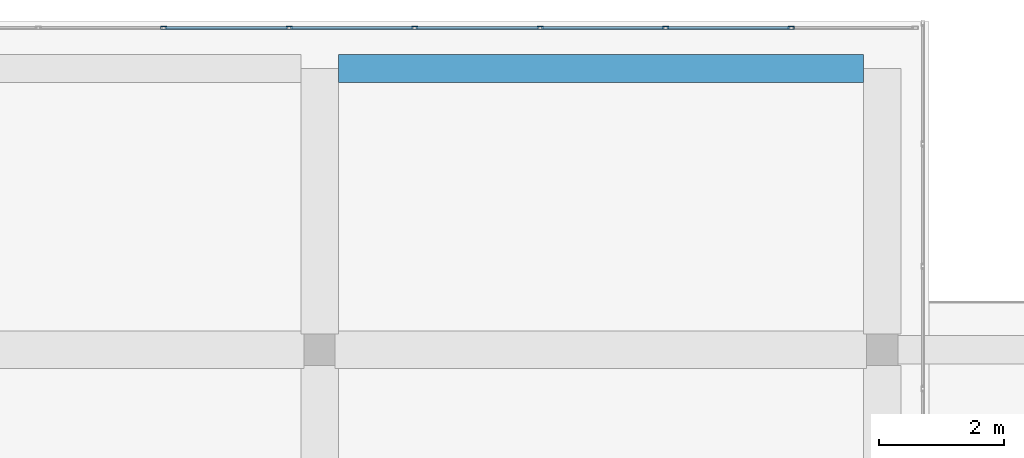
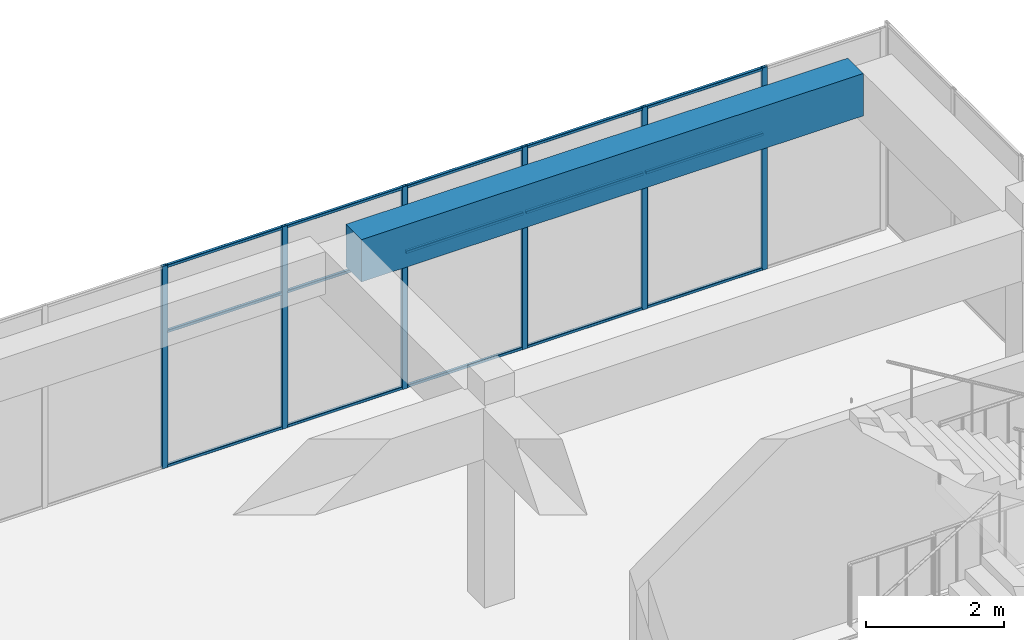
# One storey, part 28 of 36: 21 members, 1 beam, 1 element without a shape of its own.
"""IFC4 building model written with IfcOpenShell, lengths in metres."""

from ifc_helpers import new_model, si_unit, direction, frame, origin, origin_2d, place, context, subcontext, project, spatial, rectangle, hollow_rectangle, extrude, material, layer, layer_set, material_profile, profile_set, type_object, element, aggregate, save


model = new_model("IFC4")

# Units and contexts
model_context = context("Model", 3, precision=1e-05, world=origin(), true_north=direction((0.0, 1.0)))
body_context = subcontext(model_context, "Body", "Model", "MODEL_VIEW")
ifc_project = project(units=[si_unit("LENGTHUNIT", "METRE"), si_unit("AREAUNIT", "SQUARE_METRE"), si_unit("VOLUMEUNIT", "CUBIC_METRE"), si_unit("PLANEANGLEUNIT", "RADIAN"), si_unit("MASSUNIT", "GRAM", prefix="KILO")], contexts=[model_context])

# Site, building, storey
site_placement = place(None, origin())
site = spatial("IfcSite", under=ifc_project, at=site_placement, CompositionType="ELEMENT")
building_placement = place(site_placement, origin())
building = spatial("IfcBuilding", under=site, at=building_placement, Name="Tuart Plaza Theatre", CompositionType="ELEMENT")
storey_placement = place(building_placement, frame((0.0, 0.0, 61.5)))
storey = spatial("IfcBuildingStorey", under=building, at=storey_placement, Name="L15", CompositionType="ELEMENT", Elevation=61.5)

# Beam
ifc_material_1 = material(Name="Concrete N40 (40 MPa)", Category="concrete")
ifc_material_profile_1 = material_profile(ifc_material_1, rectangle(XDim=0.449951171875, YDim=0.75, at=origin_2d()), Name="BEAM 450x750 Concrete N40 (40 MPa)")
ifc_profile_set_1 = profile_set([ifc_material_profile_1], Name="Concrete N40 (40 MPa)")
beam_type = type_object("IfcBeamType", Name="BEAM 450x750 Concrete N40 (40 MPa)", PredefinedType="BEAM", material=ifc_profile_set_1)
beam_placement = place(storey_placement, frame((132.300048828125, 96.5, 3.205078125), z_axis=(1.0, 0.0, 0.0), x_axis=(0.0, 1.0, 0.0)))
element("IfcBeam", 1, at=beam_placement, inside=storey, type_object=beam_type, Name="RB338", PredefinedType="BEAM", context=body_context, shape_type="SweptSolid", body=[
    extrude(rectangle(XDim=0.449951171875, YDim=0.75, at=origin_2d()), origin(), (0.0, 0.0, 1.0), 8.39990234375),
])

# Curtain wall, members
ifc_material_2 = material(Name="Aluminium and glass", Category="aluminium")
ifc_layer = layer(ifc_material_2, 0.10009765625)
ifc_layer_set = layer_set([ifc_layer], Name="CURTAIN WALL 2000 module")
curtain_wall_type = type_object("IfcCurtainWallType", Name="CURTAIN WALL 2000 module", PredefinedType="NOTDEFINED", material=ifc_layer_set)
curtain_wall_placement = place(storey_placement, origin())
curtain_wall = element("IfcCurtainWall", 2, at=curtain_wall_placement, inside=storey, type_object=curtain_wall_type, Name="CW117", PredefinedType="NOTDEFINED")
ifc_material_3 = material(Name="Aluminium 6063-T5", Category="aluminium")
ifc_material_profile_2 = material_profile(ifc_material_3, hollow_rectangle(XDim=0.050048828125, YDim=0.10009765625, WallThickness=0.00390625, InnerFilletRadius=0.00390625, OuterFilletRadius=0.008056640625, at=origin_2d()), Name="RHS 100x50x4")
ifc_profile_set_2 = profile_set([ifc_material_profile_2], Name="Aluminium 6063-T5")
member_type_1 = type_object("IfcMemberType", Name="MULLION RHS 100x50x4", PredefinedType="MULLION", material=ifc_profile_set_2)
member_1_placement = place(storey_placement, frame((139.54296875, 97.14990234375, 0.0), z_axis=(0.0, 0.0, 1.0), x_axis=(0.0, -1.0, 0.0)))
member_1 = element("IfcMember", 3, at=member_1_placement, type_object=member_type_1, Name="CW117 mullion 2", PredefinedType="MULLION", context=body_context, shape_type="SweptSolid", body=[
    extrude(hollow_rectangle(XDim=0.050048828125, YDim=0.10009765625, WallThickness=0.00390625, InnerFilletRadius=0.00390625, OuterFilletRadius=0.008056640625, at=origin_2d()), origin(), (0.0, 0.0, 1.0), 3.580078125),
])
member_2_placement = place(storey_placement, frame((137.53564453125, 97.14990234375, 0.0), z_axis=(0.0, 0.0, 1.0), x_axis=(0.0, -1.0, 0.0)))
member_2 = element("IfcMember", 4, at=member_2_placement, type_object=member_type_1, Name="CW117 mullion 3", PredefinedType="MULLION", context=body_context, shape_type="SweptSolid", body=[
    extrude(hollow_rectangle(XDim=0.050048828125, YDim=0.10009765625, WallThickness=0.00390625, InnerFilletRadius=0.00390625, OuterFilletRadius=0.008056640625, at=origin_2d()), origin(), (0.0, 0.0, 1.0), 3.580078125),
])
member_3_placement = place(storey_placement, frame((135.528564453125, 97.14990234375, 0.0), z_axis=(0.0, 0.0, 1.0), x_axis=(0.0, -1.0, 0.0)))
member_3 = element("IfcMember", 5, at=member_3_placement, type_object=member_type_1, Name="CW117 mullion 4", PredefinedType="MULLION", context=body_context, shape_type="SweptSolid", body=[
    extrude(hollow_rectangle(XDim=0.050048828125, YDim=0.10009765625, WallThickness=0.00390625, InnerFilletRadius=0.00390625, OuterFilletRadius=0.008056640625, at=origin_2d()), origin(), (0.0, 0.0, 1.0), 3.580078125),
])
member_4_placement = place(storey_placement, frame((133.521484375, 97.14990234375, 0.0), z_axis=(0.0, 0.0, 1.0), x_axis=(0.0, -1.0, 0.0)))
member_4 = element("IfcMember", 6, at=member_4_placement, type_object=member_type_1, Name="CW117 mullion 5", PredefinedType="MULLION", context=body_context, shape_type="SweptSolid", body=[
    extrude(hollow_rectangle(XDim=0.050048828125, YDim=0.10009765625, WallThickness=0.00390625, InnerFilletRadius=0.00390625, OuterFilletRadius=0.008056640625, at=origin_2d()), origin(), (0.0, 0.0, 1.0), 3.580078125),
])
member_5_placement = place(storey_placement, frame((131.514404296875, 97.14990234375, 0.0), z_axis=(0.0, 0.0, 1.0), x_axis=(0.0, -1.0, 0.0)))
member_5 = element("IfcMember", 7, at=member_5_placement, type_object=member_type_1, Name="CW117 mullion 6", PredefinedType="MULLION", context=body_context, shape_type="SweptSolid", body=[
    extrude(hollow_rectangle(XDim=0.050048828125, YDim=0.10009765625, WallThickness=0.00390625, InnerFilletRadius=0.00390625, OuterFilletRadius=0.008056640625, at=origin_2d()), origin(), (0.0, 0.0, 1.0), 3.580078125),
])
member_6_placement = place(storey_placement, frame((129.507080078125, 97.14990234375, 0.0), z_axis=(0.0, 0.0, 1.0), x_axis=(0.0, -1.0, 0.0)))
member_6 = element("IfcMember", 8, at=member_6_placement, type_object=member_type_1, Name="CW117 mullion 7", PredefinedType="MULLION", context=body_context, shape_type="SweptSolid", body=[
    extrude(hollow_rectangle(XDim=0.050048828125, YDim=0.10009765625, WallThickness=0.00390625, InnerFilletRadius=0.00390625, OuterFilletRadius=0.008056640625, at=origin_2d()), origin(), (0.0, 0.0, 1.0), 3.580078125),
])
ifc_material_4 = material(Name="Aluminium 6063-T5", Category="aluminium")
ifc_material_profile_3 = material_profile(ifc_material_4, hollow_rectangle(XDim=0.050048828125, YDim=0.050048828125, WallThickness=0.00390625, InnerFilletRadius=0.00390625, OuterFilletRadius=0.008056640625, at=origin_2d()), Name="RHS 50x50x4")
ifc_profile_set_3 = profile_set([ifc_material_profile_3], Name="Aluminium 6063-T5")
member_type_2 = type_object("IfcMemberType", Name="TRANSOM RHS 50x50x4", PredefinedType="USERDEFINED", material=ifc_profile_set_3)
member_7_placement = place(storey_placement, frame((139.517822265625, 97.14990234375, 0.02490234375), z_axis=(-1.0, 0.0, 0.0), x_axis=(0.0, -1.0, 0.0)))
member_7 = element("IfcMember", 9, at=member_7_placement, type_object=member_type_2, Name="CW117 transom 2.1", ObjectType="TRANSOM", PredefinedType="USERDEFINED", context=body_context, shape_type="SweptSolid", body=[
    extrude(hollow_rectangle(XDim=0.050048828125, YDim=0.050048828125, WallThickness=0.00390625, InnerFilletRadius=0.00390625, OuterFilletRadius=0.008056640625, at=origin_2d()), origin(), (0.0, 0.0, 1.0), 1.95703125),
])
member_8_placement = place(storey_placement, frame((139.517822265625, 97.14990234375, 2.39990234375), z_axis=(-1.0, 0.0, 0.0), x_axis=(0.0, -1.0, 0.0)))
member_8 = element("IfcMember", 10, at=member_8_placement, type_object=member_type_2, Name="CW117 transom 2.2", ObjectType="TRANSOM", PredefinedType="USERDEFINED", context=body_context, shape_type="SweptSolid", body=[
    extrude(hollow_rectangle(XDim=0.050048828125, YDim=0.050048828125, WallThickness=0.00390625, InnerFilletRadius=0.00390625, OuterFilletRadius=0.008056640625, at=origin_2d()), origin(), (0.0, 0.0, 1.0), 1.95703125),
])
member_9_placement = place(storey_placement, frame((139.517822265625, 97.14990234375, 3.554931640625), z_axis=(-1.0, 0.0, 0.0), x_axis=(0.0, -1.0, 0.0)))
member_9 = element("IfcMember", 11, at=member_9_placement, type_object=member_type_2, Name="CW117 transom 2.3", ObjectType="TRANSOM", PredefinedType="USERDEFINED", context=body_context, shape_type="SweptSolid", body=[
    extrude(hollow_rectangle(XDim=0.050048828125, YDim=0.050048828125, WallThickness=0.00390625, InnerFilletRadius=0.00390625, OuterFilletRadius=0.008056640625, at=origin_2d()), origin(), (0.0, 0.0, 1.0), 1.95703125),
])
member_10_placement = place(storey_placement, frame((137.5107421875, 97.14990234375, 0.02490234375), z_axis=(-1.0, 0.0, 0.0), x_axis=(0.0, -1.0, 0.0)))
member_10 = element("IfcMember", 12, at=member_10_placement, type_object=member_type_2, Name="CW117 transom 3.1", ObjectType="TRANSOM", PredefinedType="USERDEFINED", context=body_context, shape_type="SweptSolid", body=[
    extrude(hollow_rectangle(XDim=0.050048828125, YDim=0.050048828125, WallThickness=0.00390625, InnerFilletRadius=0.00390625, OuterFilletRadius=0.008056640625, at=origin_2d()), origin(), (0.0, 0.0, 1.0), 1.957275390625),
])
member_11_placement = place(storey_placement, frame((137.5107421875, 97.14990234375, 2.39990234375), z_axis=(-1.0, 0.0, 0.0), x_axis=(0.0, -1.0, 0.0)))
member_11 = element("IfcMember", 13, at=member_11_placement, type_object=member_type_2, Name="CW117 transom 3.2", ObjectType="TRANSOM", PredefinedType="USERDEFINED", context=body_context, shape_type="SweptSolid", body=[
    extrude(hollow_rectangle(XDim=0.050048828125, YDim=0.050048828125, WallThickness=0.00390625, InnerFilletRadius=0.00390625, OuterFilletRadius=0.008056640625, at=origin_2d()), origin(), (0.0, 0.0, 1.0), 1.957275390625),
])
member_12_placement = place(storey_placement, frame((137.5107421875, 97.14990234375, 3.554931640625), z_axis=(-1.0, 0.0, 0.0), x_axis=(0.0, -1.0, 0.0)))
member_12 = element("IfcMember", 14, at=member_12_placement, type_object=member_type_2, Name="CW117 transom 3.3", ObjectType="TRANSOM", PredefinedType="USERDEFINED", context=body_context, shape_type="SweptSolid", body=[
    extrude(hollow_rectangle(XDim=0.050048828125, YDim=0.050048828125, WallThickness=0.00390625, InnerFilletRadius=0.00390625, OuterFilletRadius=0.008056640625, at=origin_2d()), origin(), (0.0, 0.0, 1.0), 1.957275390625),
])
member_13_placement = place(storey_placement, frame((135.503662109375, 97.14990234375, 0.02490234375), z_axis=(-1.0, 0.0, 0.0), x_axis=(0.0, -1.0, 0.0)))
member_13 = element("IfcMember", 15, at=member_13_placement, type_object=member_type_2, Name="CW117 transom 4.1", ObjectType="TRANSOM", PredefinedType="USERDEFINED", context=body_context, shape_type="SweptSolid", body=[
    extrude(hollow_rectangle(XDim=0.050048828125, YDim=0.050048828125, WallThickness=0.00390625, InnerFilletRadius=0.00390625, OuterFilletRadius=0.008056640625, at=origin_2d()), origin(), (0.0, 0.0, 1.0), 1.957275390625),
])
member_14_placement = place(storey_placement, frame((135.503662109375, 97.14990234375, 2.39990234375), z_axis=(-1.0, 0.0, 0.0), x_axis=(0.0, -1.0, 0.0)))
member_14 = element("IfcMember", 16, at=member_14_placement, type_object=member_type_2, Name="CW117 transom 4.2", ObjectType="TRANSOM", PredefinedType="USERDEFINED", context=body_context, shape_type="SweptSolid", body=[
    extrude(hollow_rectangle(XDim=0.050048828125, YDim=0.050048828125, WallThickness=0.00390625, InnerFilletRadius=0.00390625, OuterFilletRadius=0.008056640625, at=origin_2d()), origin(), (0.0, 0.0, 1.0), 1.957275390625),
])
member_15_placement = place(storey_placement, frame((135.503662109375, 97.14990234375, 3.554931640625), z_axis=(-1.0, 0.0, 0.0), x_axis=(0.0, -1.0, 0.0)))
member_15 = element("IfcMember", 17, at=member_15_placement, type_object=member_type_2, Name="CW117 transom 4.3", ObjectType="TRANSOM", PredefinedType="USERDEFINED", context=body_context, shape_type="SweptSolid", body=[
    extrude(hollow_rectangle(XDim=0.050048828125, YDim=0.050048828125, WallThickness=0.00390625, InnerFilletRadius=0.00390625, OuterFilletRadius=0.008056640625, at=origin_2d()), origin(), (0.0, 0.0, 1.0), 1.957275390625),
])
member_16_placement = place(storey_placement, frame((133.496337890625, 97.14990234375, 0.02490234375), z_axis=(-1.0, 0.0, 0.0), x_axis=(0.0, -1.0, 0.0)))
member_16 = element("IfcMember", 18, at=member_16_placement, type_object=member_type_2, Name="CW117 transom 5.1", ObjectType="TRANSOM", PredefinedType="USERDEFINED", context=body_context, shape_type="SweptSolid", body=[
    extrude(hollow_rectangle(XDim=0.050048828125, YDim=0.050048828125, WallThickness=0.00390625, InnerFilletRadius=0.00390625, OuterFilletRadius=0.008056640625, at=origin_2d()), origin(), (0.0, 0.0, 1.0), 1.95703125),
])
member_17_placement = place(storey_placement, frame((133.496337890625, 97.14990234375, 2.39990234375), z_axis=(-1.0, 0.0, 0.0), x_axis=(0.0, -1.0, 0.0)))
member_17 = element("IfcMember", 19, at=member_17_placement, type_object=member_type_2, Name="CW117 transom 5.2", ObjectType="TRANSOM", PredefinedType="USERDEFINED", context=body_context, shape_type="SweptSolid", body=[
    extrude(hollow_rectangle(XDim=0.050048828125, YDim=0.050048828125, WallThickness=0.00390625, InnerFilletRadius=0.00390625, OuterFilletRadius=0.008056640625, at=origin_2d()), origin(), (0.0, 0.0, 1.0), 1.95703125),
])
member_18_placement = place(storey_placement, frame((133.496337890625, 97.14990234375, 3.554931640625), z_axis=(-1.0, 0.0, 0.0), x_axis=(0.0, -1.0, 0.0)))
member_18 = element("IfcMember", 20, at=member_18_placement, type_object=member_type_2, Name="CW117 transom 5.3", ObjectType="TRANSOM", PredefinedType="USERDEFINED", context=body_context, shape_type="SweptSolid", body=[
    extrude(hollow_rectangle(XDim=0.050048828125, YDim=0.050048828125, WallThickness=0.00390625, InnerFilletRadius=0.00390625, OuterFilletRadius=0.008056640625, at=origin_2d()), origin(), (0.0, 0.0, 1.0), 1.95703125),
])
member_19_placement = place(storey_placement, frame((131.4892578125, 97.14990234375, 0.02490234375), z_axis=(-1.0, 0.0, 0.0), x_axis=(0.0, -1.0, 0.0)))
member_19 = element("IfcMember", 21, at=member_19_placement, type_object=member_type_2, Name="CW117 transom 6.1", ObjectType="TRANSOM", PredefinedType="USERDEFINED", context=body_context, shape_type="SweptSolid", body=[
    extrude(hollow_rectangle(XDim=0.050048828125, YDim=0.050048828125, WallThickness=0.00390625, InnerFilletRadius=0.00390625, OuterFilletRadius=0.008056640625, at=origin_2d()), origin(), (0.0, 0.0, 1.0), 1.95703125),
])
member_20_placement = place(storey_placement, frame((131.4892578125, 97.14990234375, 2.39990234375), z_axis=(-1.0, 0.0, 0.0), x_axis=(0.0, -1.0, 0.0)))
member_20 = element("IfcMember", 22, at=member_20_placement, type_object=member_type_2, Name="CW117 transom 6.2", ObjectType="TRANSOM", PredefinedType="USERDEFINED", context=body_context, shape_type="SweptSolid", body=[
    extrude(hollow_rectangle(XDim=0.050048828125, YDim=0.050048828125, WallThickness=0.00390625, InnerFilletRadius=0.00390625, OuterFilletRadius=0.008056640625, at=origin_2d()), origin(), (0.0, 0.0, 1.0), 1.95703125),
])
member_21_placement = place(storey_placement, frame((131.4892578125, 97.14990234375, 3.554931640625), z_axis=(-1.0, 0.0, 0.0), x_axis=(0.0, -1.0, 0.0)))
member_21 = element("IfcMember", 23, at=member_21_placement, type_object=member_type_2, Name="CW117 transom 6.3", ObjectType="TRANSOM", PredefinedType="USERDEFINED", context=body_context, shape_type="SweptSolid", body=[
    extrude(hollow_rectangle(XDim=0.050048828125, YDim=0.050048828125, WallThickness=0.00390625, InnerFilletRadius=0.00390625, OuterFilletRadius=0.008056640625, at=origin_2d()), origin(), (0.0, 0.0, 1.0), 1.95703125),
])
aggregate(curtain_wall, [member_1, member_2, member_3, member_4, member_5, member_6, member_7, member_8, member_9, member_10, member_11, member_12, member_13, member_14, member_15, member_16, member_17, member_18, member_19, member_20, member_21])

save(model, "model.ifc")
